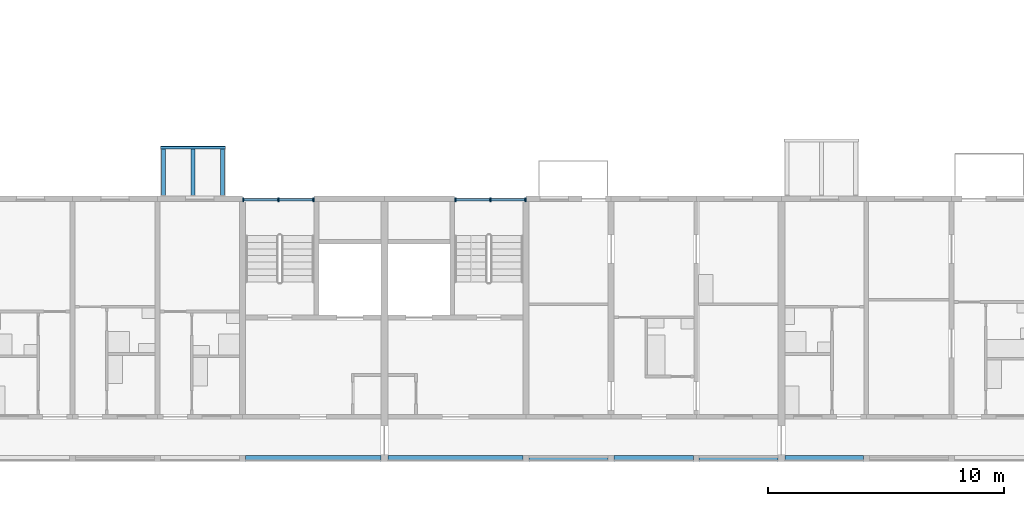
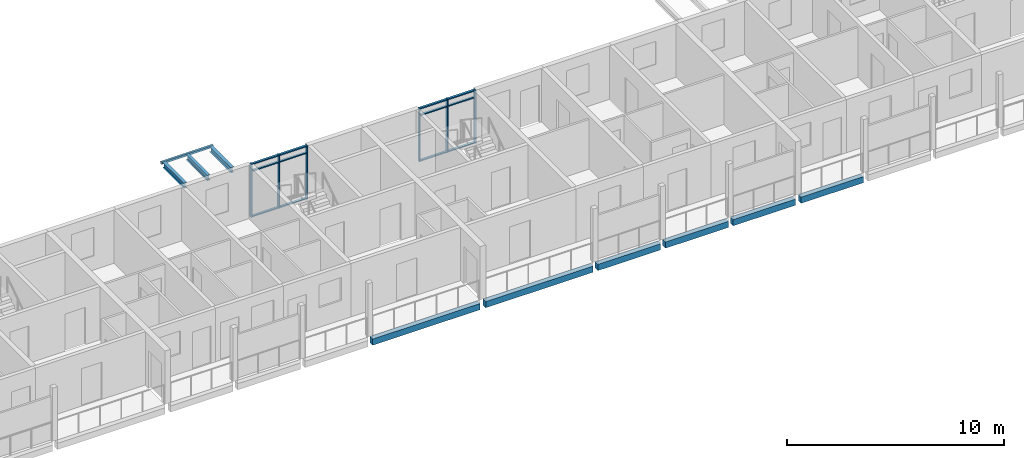
# One storey, part 6 of 93: 18 members, 10 beams, 2 elements without a shape of their own.
"""IFC4 building model written with IfcOpenShell, lengths in metres."""

from ifc_helpers import new_model, si_unit, direction, frame, origin, origin_2d, place, context, subcontext, project, spatial, rectangle, hollow_rectangle, i_section, extrude, material, material_profile, profile_set, type_object, element, aggregate, save


model = new_model("IFC4")

# Units and contexts
model_context = context("Model", 3, precision=1e-05, world=origin(), true_north=direction((0.0, 1.0)))
body_context = subcontext(model_context, "Body", "Model", "MODEL_VIEW")
ifc_project = project(units=[si_unit("LENGTHUNIT", "METRE"), si_unit("AREAUNIT", "SQUARE_METRE"), si_unit("VOLUMEUNIT", "CUBIC_METRE"), si_unit("PLANEANGLEUNIT", "RADIAN"), si_unit("MASSUNIT", "GRAM", prefix="KILO")], contexts=[model_context])

# Site, building, storey
site_placement = place(None, origin())
site = spatial("IfcSite", under=ifc_project, at=site_placement, CompositionType="ELEMENT")
building_placement = place(site_placement, origin())
building = spatial("IfcBuilding", under=site, at=building_placement, Name="Ridgestep Commons", CompositionType="ELEMENT")
storey_placement = place(building_placement, frame((0.0, 0.0, 18.0)))
storey = spatial("IfcBuildingStorey", under=building, at=storey_placement, Name="L06", CompositionType="ELEMENT", Elevation=18.0)

# Beams
ifc_material_1 = material(Name="Precast concrete C40/50", Category="concrete")
ifc_material_profile_1 = material_profile(ifc_material_1, rectangle(XDim=0.25, YDim=0.35009765625, at=origin_2d()), Name="PC 250x350")
ifc_profile_set_1 = profile_set([ifc_material_profile_1], Name="Precast concrete C40/50")
beam_type_1 = type_object("IfcBeamType", Name="Loggia edge beam 250 x 350", PredefinedType="SPANDREL", material=ifc_profile_set_1)
beam_1_placement = place(storey_placement, frame((39.72509765625, 11.875, -0.375), z_axis=(1.0, 0.0, 0.0), x_axis=(0.0, 1.0, 0.0)))
element("IfcBeam", 1, at=beam_1_placement, inside=storey, type_object=beam_type_1, Name="Loggia edge beam A2C L06", PredefinedType="SPANDREL", context=body_context, shape_type="SweptSolid", body=[
    extrude(rectangle(XDim=0.25, YDim=0.35009765625, at=origin_2d()), origin(), (0.0, 0.0, 1.0), 5.724853515625),
])
beam_2_placement = place(storey_placement, frame((45.75, 11.875, -0.375), z_axis=(1.0, 0.0, 0.0), x_axis=(0.0, 1.0, 0.0)))
element("IfcBeam", 2, at=beam_2_placement, inside=storey, type_object=beam_type_1, Name="Loggia edge beam A3C L06", PredefinedType="SPANDREL", context=body_context, shape_type="SweptSolid", body=[
    extrude(rectangle(XDim=0.25, YDim=0.35009765625, at=origin_2d()), origin(), (0.0, 0.0, 1.0), 5.72509765625),
])
beam_3_placement = place(storey_placement, frame((51.72509765625, 11.875, -0.375), z_axis=(1.0, 0.0, 0.0), x_axis=(0.0, 1.0, 0.0)))
element("IfcBeam", 3, at=beam_3_placement, inside=storey, type_object=beam_type_1, Name="Loggia edge beam A3T3 L06", PredefinedType="SPANDREL", context=body_context, shape_type="SweptSolid", body=[
    extrude(rectangle(XDim=0.25, YDim=0.35009765625, at=origin_2d()), origin(), (0.0, 0.0, 1.0), 3.349853515625),
])
beam_4_placement = place(storey_placement, frame((55.324951171875, 11.875, -0.375), z_axis=(1.0, 0.0, 0.0), x_axis=(0.0, 1.0, 0.0)))
element("IfcBeam", 4, at=beam_4_placement, inside=storey, type_object=beam_type_1, Name="Loggia edge beam A3T2 L06", PredefinedType="SPANDREL", context=body_context, shape_type="SweptSolid", body=[
    extrude(rectangle(XDim=0.25, YDim=0.35009765625, at=origin_2d()), origin(), (0.0, 0.0, 1.0), 3.35009765625),
])
for number, where, z_axis, x_axis, name in (
    (5, (58.925048828125, 11.875, -0.375), (1.0, 0.0, 0.0), (0.0, 1.0, 0.0), "Loggia edge beam A3T1 L06"),
    (6, (62.550048828125, 11.875, -0.375), (1.0, 0.0, 0.0), (0.0, 1.0, 0.0), "Loggia edge beam A4T1 L06"),
):
    element("IfcBeam", number, at=place(storey_placement, frame(where, z_axis=z_axis, x_axis=x_axis)), inside=storey, type_object=beam_type_1, Name=name, PredefinedType="SPANDREL", context=body_context, shape_type="SweptSolid", body=[
        extrude(rectangle(XDim=0.25, YDim=0.35009765625, at=origin_2d()), origin(), (0.0, 0.0, 1.0), 3.324951171875),
    ])

# Curtain wall, members
ifc_material_2 = material(Name="Aluminium 6063-T6 and glass", Category="aluminium")
curtain_wall_type = type_object("IfcCurtainWallType", Name="Curtain wall stair strip", PredefinedType="NOTDEFINED", material=ifc_material_2)
curtain_wall_1_placement = place(storey_placement, origin())
curtain_wall_1 = element("IfcCurtainWall", 7, at=curtain_wall_1_placement, inside=storey, type_object=curtain_wall_type, Name="Curtain wall A2C level 06", PredefinedType="NOTDEFINED")
ifc_material_3 = material(Name="Aluminium 6063-T6", Category="aluminium")
ifc_material_profile_2 = material_profile(ifc_material_3, rectangle(XDim=0.159912109375, YDim=0.06005859375, at=origin_2d()), Name="Mullion 60 x 160")
ifc_profile_set_2 = profile_set([ifc_material_profile_2], Name="Aluminium 6063-T6")
member_type_1 = type_object("IfcMemberType", Name="Mullion 60 x 160", PredefinedType="MULLION", material=ifc_profile_set_2)
member_1_placement = place(storey_placement, frame((39.6298828125, 22.830078125, 0.0), z_axis=(0.0, 0.0, 1.0), x_axis=(0.0, 1.0, 0.0)))
member_1 = element("IfcMember", 8, at=member_1_placement, type_object=member_type_1, Name="CW1 mullion 1", PredefinedType="MULLION", context=body_context, shape_type="SweptSolid", body=[
    extrude(rectangle(XDim=0.159912109375, YDim=0.06005859375, at=origin_2d()), origin(), (0.0, 0.0, 1.0), 3.0),
])
member_2_placement = place(storey_placement, frame((41.112548828125, 22.830078125, 0.0), z_axis=(0.0, 0.0, 1.0), x_axis=(0.0, 1.0, 0.0)))
member_2 = element("IfcMember", 9, at=member_2_placement, type_object=member_type_1, Name="CW1 mullion 2", PredefinedType="MULLION", context=body_context, shape_type="SweptSolid", body=[
    extrude(rectangle(XDim=0.159912109375, YDim=0.06005859375, at=origin_2d()), origin(), (0.0, 0.0, 1.0), 3.0),
])
member_3_placement = place(storey_placement, frame((42.594970703125, 22.830078125, 0.0), z_axis=(0.0, 0.0, 1.0), x_axis=(0.0, 1.0, 0.0)))
member_3 = element("IfcMember", 10, at=member_3_placement, type_object=member_type_1, Name="CW1 mullion 3", PredefinedType="MULLION", context=body_context, shape_type="SweptSolid", body=[
    extrude(rectangle(XDim=0.159912109375, YDim=0.06005859375, at=origin_2d()), origin(), (0.0, 0.0, 1.0), 3.0),
])

curtain_wall_2_placement = place(storey_placement, origin())
curtain_wall_2 = element("IfcCurtainWall", 11, at=curtain_wall_2_placement, inside=storey, type_object=curtain_wall_type, Name="Curtain wall A3C level 06", PredefinedType="NOTDEFINED")
member_4_placement = place(storey_placement, frame((48.60498046875, 22.830078125, 0.0), z_axis=(0.0, 0.0, 1.0), x_axis=(0.0, 1.0, 0.0)))
member_4 = element("IfcMember", 12, at=member_4_placement, type_object=member_type_1, Name="CW1 mullion 1", PredefinedType="MULLION", context=body_context, shape_type="SweptSolid", body=[
    extrude(rectangle(XDim=0.159912109375, YDim=0.06005859375, at=origin_2d()), origin(), (0.0, 0.0, 1.0), 3.0),
])
member_5_placement = place(storey_placement, frame((50.08740234375, 22.830078125, 0.0), z_axis=(0.0, 0.0, 1.0), x_axis=(0.0, 1.0, 0.0)))
member_5 = element("IfcMember", 13, at=member_5_placement, type_object=member_type_1, Name="CW1 mullion 2", PredefinedType="MULLION", context=body_context, shape_type="SweptSolid", body=[
    extrude(rectangle(XDim=0.159912109375, YDim=0.06005859375, at=origin_2d()), origin(), (0.0, 0.0, 1.0), 3.0),
])
member_6_placement = place(storey_placement, frame((51.570068359375, 22.830078125, 0.0), z_axis=(0.0, 0.0, 1.0), x_axis=(0.0, 1.0, 0.0)))
member_6 = element("IfcMember", 14, at=member_6_placement, type_object=member_type_1, Name="CW1 mullion 3", PredefinedType="MULLION", context=body_context, shape_type="SweptSolid", body=[
    extrude(rectangle(XDim=0.159912109375, YDim=0.06005859375, at=origin_2d()), origin(), (0.0, 0.0, 1.0), 3.0),
])

# Member
ifc_material_4 = material(Name="Aluminium 6063-T6", Category="aluminium")
ifc_material_profile_3 = material_profile(ifc_material_4, rectangle(XDim=0.1201171875, YDim=0.06005859375, at=origin_2d()), Name="Transom 60 x 120")
ifc_profile_set_3 = profile_set([ifc_material_profile_3], Name="Aluminium 6063-T6")
member_type_2 = type_object("IfcMemberType", Name="Transom 60 x 120", PredefinedType="USERDEFINED", material=ifc_profile_set_3)
member_7_placement = place(storey_placement, frame((39.659912109375, 22.830078125, 0.030029296875), z_axis=(1.0, 0.0, 0.0), x_axis=(0.0, 1.0, 0.0)))
member_7 = element("IfcMember", 15, at=member_7_placement, type_object=member_type_2, Name="CW1 transom 1.1", ObjectType="TRANSOM", PredefinedType="USERDEFINED", context=body_context, shape_type="SweptSolid", body=[
    extrude(rectangle(XDim=0.1201171875, YDim=0.06005859375, at=origin_2d()), origin(), (0.0, 0.0, 1.0), 1.422607421875),
])

member_8_placement = place(storey_placement, frame((39.659912109375, 22.830078125, 2.590087890625), z_axis=(1.0, 0.0, 0.0), x_axis=(0.0, 1.0, 0.0)))
member_8 = element("IfcMember", 16, at=member_8_placement, type_object=member_type_2, Name="CW1 transom 1.2", ObjectType="TRANSOM", PredefinedType="USERDEFINED", context=body_context, shape_type="SweptSolid", body=[
    extrude(rectangle(XDim=0.1201171875, YDim=0.06005859375, at=origin_2d()), origin(), (0.0, 0.0, 1.0), 1.422607421875),
])

member_9_placement = place(storey_placement, frame((39.659912109375, 22.830078125, 2.969970703125), z_axis=(1.0, 0.0, 0.0), x_axis=(0.0, 1.0, 0.0)))
member_9 = element("IfcMember", 17, at=member_9_placement, type_object=member_type_2, Name="CW1 transom 1.3", ObjectType="TRANSOM", PredefinedType="USERDEFINED", context=body_context, shape_type="SweptSolid", body=[
    extrude(rectangle(XDim=0.1201171875, YDim=0.06005859375, at=origin_2d()), origin(), (0.0, 0.0, 1.0), 1.422607421875),
])

member_10_placement = place(storey_placement, frame((41.142578125, 22.830078125, 0.030029296875), z_axis=(1.0, 0.0, 0.0), x_axis=(0.0, 1.0, 0.0)))
member_10 = element("IfcMember", 18, at=member_10_placement, type_object=member_type_2, Name="CW1 transom 2.1", ObjectType="TRANSOM", PredefinedType="USERDEFINED", context=body_context, shape_type="SweptSolid", body=[
    extrude(rectangle(XDim=0.1201171875, YDim=0.06005859375, at=origin_2d()), origin(), (0.0, 0.0, 1.0), 1.42236328125),
])

member_11_placement = place(storey_placement, frame((41.142578125, 22.830078125, 2.590087890625), z_axis=(1.0, 0.0, 0.0), x_axis=(0.0, 1.0, 0.0)))
member_11 = element("IfcMember", 19, at=member_11_placement, type_object=member_type_2, Name="CW1 transom 2.2", ObjectType="TRANSOM", PredefinedType="USERDEFINED", context=body_context, shape_type="SweptSolid", body=[
    extrude(rectangle(XDim=0.1201171875, YDim=0.06005859375, at=origin_2d()), origin(), (0.0, 0.0, 1.0), 1.42236328125),
])

member_12_placement = place(storey_placement, frame((41.142578125, 22.830078125, 2.969970703125), z_axis=(1.0, 0.0, 0.0), x_axis=(0.0, 1.0, 0.0)))
member_12 = element("IfcMember", 20, at=member_12_placement, type_object=member_type_2, Name="CW1 transom 2.3", ObjectType="TRANSOM", PredefinedType="USERDEFINED", context=body_context, shape_type="SweptSolid", body=[
    extrude(rectangle(XDim=0.1201171875, YDim=0.06005859375, at=origin_2d()), origin(), (0.0, 0.0, 1.0), 1.42236328125),
])

aggregate(curtain_wall_1, [member_1, member_2, member_3, member_7, member_8, member_9, member_10, member_11, member_12])

member_13_placement = place(storey_placement, frame((48.635009765625, 22.830078125, 0.030029296875), z_axis=(1.0, 0.0, 0.0), x_axis=(0.0, 1.0, 0.0)))
member_13 = element("IfcMember", 21, at=member_13_placement, type_object=member_type_2, Name="CW1 transom 1.1", ObjectType="TRANSOM", PredefinedType="USERDEFINED", context=body_context, shape_type="SweptSolid", body=[
    extrude(rectangle(XDim=0.1201171875, YDim=0.06005859375, at=origin_2d()), origin(), (0.0, 0.0, 1.0), 1.422607421875),
])

member_14_placement = place(storey_placement, frame((48.635009765625, 22.830078125, 2.590087890625), z_axis=(1.0, 0.0, 0.0), x_axis=(0.0, 1.0, 0.0)))
member_14 = element("IfcMember", 22, at=member_14_placement, type_object=member_type_2, Name="CW1 transom 1.2", ObjectType="TRANSOM", PredefinedType="USERDEFINED", context=body_context, shape_type="SweptSolid", body=[
    extrude(rectangle(XDim=0.1201171875, YDim=0.06005859375, at=origin_2d()), origin(), (0.0, 0.0, 1.0), 1.422607421875),
])

member_15_placement = place(storey_placement, frame((48.635009765625, 22.830078125, 2.969970703125), z_axis=(1.0, 0.0, 0.0), x_axis=(0.0, 1.0, 0.0)))
member_15 = element("IfcMember", 23, at=member_15_placement, type_object=member_type_2, Name="CW1 transom 1.3", ObjectType="TRANSOM", PredefinedType="USERDEFINED", context=body_context, shape_type="SweptSolid", body=[
    extrude(rectangle(XDim=0.1201171875, YDim=0.06005859375, at=origin_2d()), origin(), (0.0, 0.0, 1.0), 1.422607421875),
])

member_16_placement = place(storey_placement, frame((50.117431640625, 22.830078125, 0.030029296875), z_axis=(1.0, 0.0, 0.0), x_axis=(0.0, 1.0, 0.0)))
member_16 = element("IfcMember", 24, at=member_16_placement, type_object=member_type_2, Name="CW1 transom 2.1", ObjectType="TRANSOM", PredefinedType="USERDEFINED", context=body_context, shape_type="SweptSolid", body=[
    extrude(rectangle(XDim=0.1201171875, YDim=0.06005859375, at=origin_2d()), origin(), (0.0, 0.0, 1.0), 1.422607421875),
])

member_17_placement = place(storey_placement, frame((50.117431640625, 22.830078125, 2.590087890625), z_axis=(1.0, 0.0, 0.0), x_axis=(0.0, 1.0, 0.0)))
member_17 = element("IfcMember", 25, at=member_17_placement, type_object=member_type_2, Name="CW1 transom 2.2", ObjectType="TRANSOM", PredefinedType="USERDEFINED", context=body_context, shape_type="SweptSolid", body=[
    extrude(rectangle(XDim=0.1201171875, YDim=0.06005859375, at=origin_2d()), origin(), (0.0, 0.0, 1.0), 1.422607421875),
])

member_18_placement = place(storey_placement, frame((50.117431640625, 22.830078125, 2.969970703125), z_axis=(1.0, 0.0, 0.0), x_axis=(0.0, 1.0, 0.0)))
member_18 = element("IfcMember", 26, at=member_18_placement, type_object=member_type_2, Name="CW1 transom 2.3", ObjectType="TRANSOM", PredefinedType="USERDEFINED", context=body_context, shape_type="SweptSolid", body=[
    extrude(rectangle(XDim=0.1201171875, YDim=0.06005859375, at=origin_2d()), origin(), (0.0, 0.0, 1.0), 1.422607421875),
])

aggregate(curtain_wall_2, [member_4, member_5, member_6, member_13, member_14, member_15, member_16, member_17, member_18])

# Beams
ifc_material_5 = material(Name="Weathering steel S355J2W", Category="steel")
ifc_material_profile_4 = material_profile(ifc_material_5, i_section(OverallWidth=0.1650390625, OverallDepth=0.303466796875, WebThickness=0.006103515625, FlangeThickness=0.01025390625, FilletRadius=0.0087890625, at=origin_2d()), Name="UB 305x165x40")
ifc_profile_set_4 = profile_set([ifc_material_profile_4], Name="Weathering steel S355J2W")
beam_type_2 = type_object("IfcBeamType", Name="Tray arm UB 305x165x40", PredefinedType="BEAM", material=ifc_profile_set_4)
for number, where, z_axis, x_axis, name in (
    (27, (36.25, 23.014892578125, 2.83837890625), (0.0, 1.0, 0.0), (-1.0, 0.0, 0.0), "Tray arm A2T3-07.1"),
    (28, (37.5, 23.014892578125, 2.83837890625), (0.0, 1.0, 0.0), (-1.0, 0.0, 0.0), "Tray arm A2T3-07.2"),
    (29, (38.75, 23.014892578125, 2.83837890625), (0.0, 1.0, 0.0), (-1.0, 0.0, 0.0), "Tray arm A2T3-07.3"),
):
    element("IfcBeam", number, at=place(storey_placement, frame(where, z_axis=z_axis, x_axis=x_axis)), inside=storey, type_object=beam_type_2, Name=name, PredefinedType="BEAM", context=body_context, shape_type="SweptSolid", body=[
        extrude(i_section(OverallWidth=0.1650390625, OverallDepth=0.303466796875, WebThickness=0.006103515625, FlangeThickness=0.01025390625, FilletRadius=0.0087890625, at=origin_2d()), origin(), (0.0, 0.0, 1.0), 1.965087890625),
    ])
ifc_material_6 = material(Name="Weathering steel S355J2W", Category="steel")
ifc_material_profile_5 = material_profile(ifc_material_6, hollow_rectangle(XDim=0.1201171875, YDim=0.1201171875, WallThickness=0.00634765625, InnerFilletRadius=0.00634765625, OuterFilletRadius=0.009521484375, at=origin_2d()), Name="SHS 120x120x6.3")
ifc_profile_set_5 = profile_set([ifc_material_profile_5], Name="Weathering steel S355J2W")
beam_type_3 = type_object("IfcBeamType", Name="Tray edge member SHS 120x120x6.3", PredefinedType="BEAM", material=ifc_profile_set_5)
beam_5_placement = place(storey_placement, frame((36.1298828125, 25.0400390625, 2.929931640625), z_axis=(1.0, 0.0, 0.0), x_axis=(0.0, 0.0, 1.0)))
element("IfcBeam", 30, at=beam_5_placement, inside=storey, type_object=beam_type_3, Name="Tray edge member A2T3-07", PredefinedType="BEAM", context=body_context, shape_type="SweptSolid", body=[
    extrude(hollow_rectangle(XDim=0.1201171875, YDim=0.1201171875, WallThickness=0.00634765625, InnerFilletRadius=0.00634765625, OuterFilletRadius=0.009521484375, at=origin_2d()), origin(), (0.0, 0.0, 1.0), 2.740234375),
])

save(model, "model.ifc")
